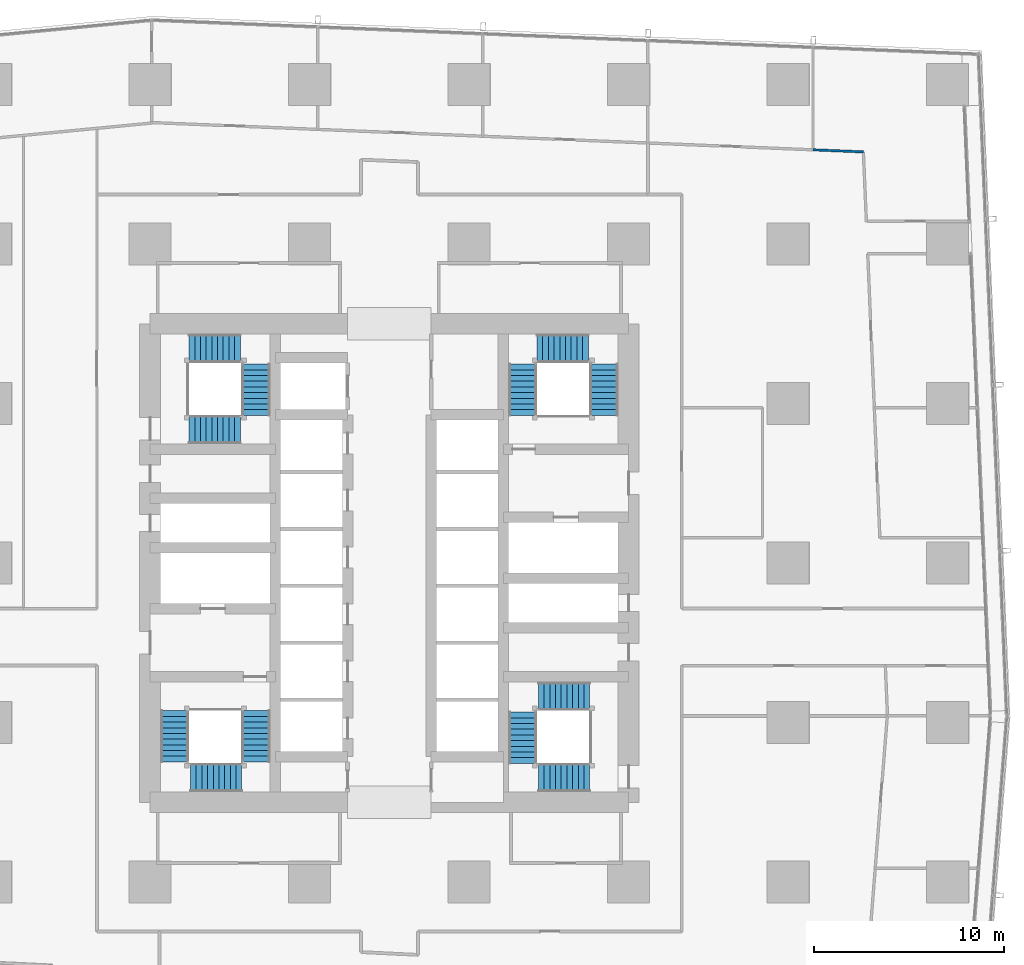
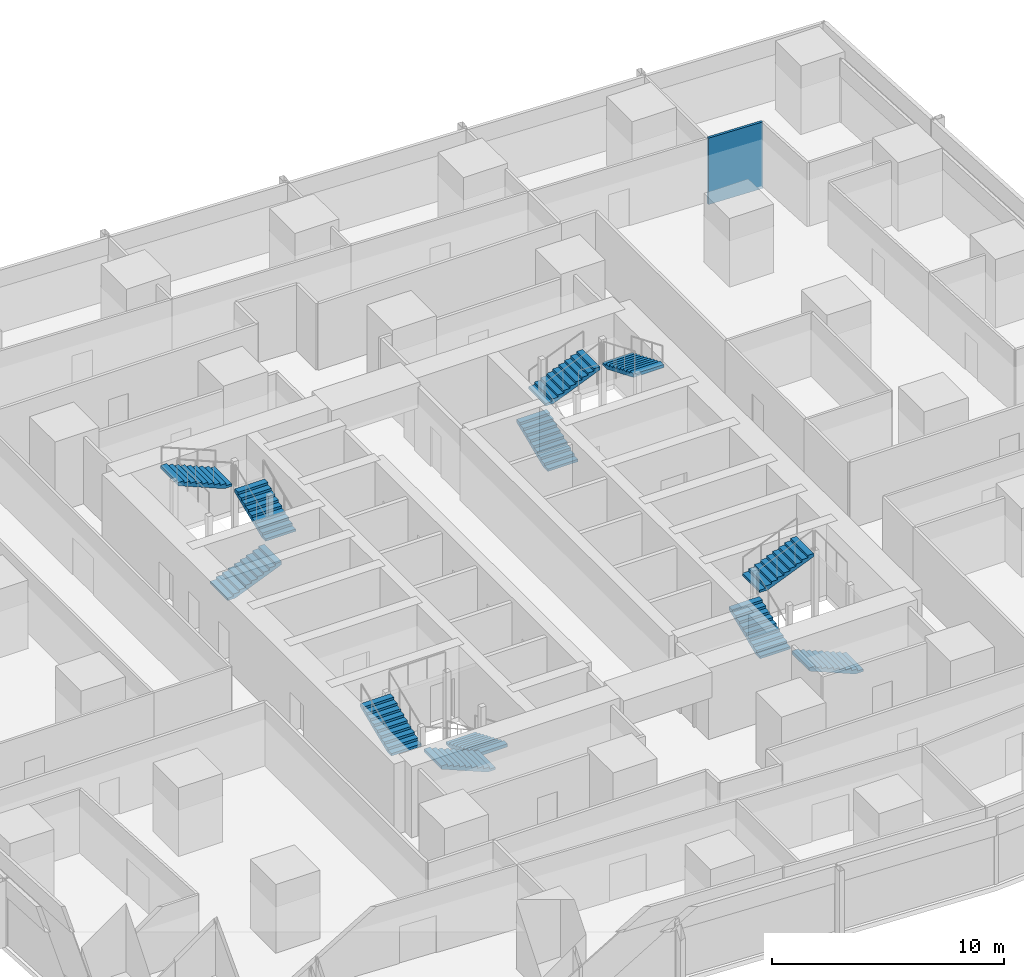
# One storey, part 35 of 44: 12 stair flights, 1 wall, 4 elements without a shape of their own.
"""IFC4 building model written with IfcOpenShell, lengths in metres."""

from ifc_helpers import new_model, si_unit, direction, frame, frame_2d, origin, place, context, subcontext, project, spatial, polyline, rectangle, outline, extrude, material, layer, layer_set, type_object, element, aggregate, save


model = new_model("IFC4")

# Units and contexts
model_context = context("Model", 3, precision=1e-05, world=origin(), true_north=direction((0.0, 1.0)))
body_context = subcontext(model_context, "Body", "Model", "MODEL_VIEW")
ifc_project = project(units=[si_unit("LENGTHUNIT", "METRE"), si_unit("AREAUNIT", "SQUARE_METRE"), si_unit("VOLUMEUNIT", "CUBIC_METRE"), si_unit("PLANEANGLEUNIT", "RADIAN"), si_unit("MASSUNIT", "GRAM", prefix="KILO")], contexts=[model_context])

# Site, building, storey
site_placement = place(None, origin())
site = spatial("IfcSite", under=ifc_project, at=site_placement, CompositionType="ELEMENT")
building_placement = place(site_placement, origin())
building = spatial("IfcBuilding", under=site, at=building_placement, Name="Rekha Terrace Tower", CompositionType="ELEMENT")
storey_placement = place(building_placement, frame((0.0, 0.0, 66.64990234375)))
storey = spatial("IfcBuildingStorey", under=building, at=storey_placement, Name="L16", CompositionType="ELEMENT", Elevation=66.64990234375)

# Wall
ifc_material_1 = material(Name="Two layers of fire-rated gypsum board each side on steel studs, acoustic quilt, 1 hour", Category="steel")
ifc_layer = layer(ifc_material_1, 0.125)
ifc_layer_set = layer_set([ifc_layer], Name="Two layers of fire-rated gypsum board each side on steel studs, acoustic quilt, 1 hour")
wall_type = type_object("IfcWallType", Name="WP3 125 office partition", PredefinedType="PARTITIONING", material=ifc_layer_set)
wall_placement = place(storey_placement, frame((62.762939453125, 55.251953125, 0.0), z_axis=(0.0, 0.0, 1.0), x_axis=(-0.999153681613, 0.041132961474, 0.0)))
element("IfcWall", 1, at=wall_placement, inside=storey, type_object=wall_type, Name="Partition L16-09", PredefinedType="PARTITIONING", context=body_context, shape_type="SweptSolid", body=[
    extrude(rectangle(XDim=2.653076171875, YDim=0.125, at=frame_2d((1.32666015625, 0.0))), origin(), (0.0, 0.0, 1.0), 3.5),
])

# Stair, stair flights
ifc_material_2 = material(Name="Concrete M40", Category="concrete")
stair_type = type_object("IfcStairType", Name="ST30 stair, 30 risers of 125, going 300, 1500 wide flights, 3 flights", PredefinedType="HALF_TURN_STAIR", material=ifc_material_2)
stair_1_placement = place(storey_placement, origin())
stair_1 = element("IfcStair", 2, at=stair_1_placement, inside=storey, type_object=stair_type, Name="Stair ST1 L16 to L17", PredefinedType="HALF_TURN_STAIR")
stair_flight_type = type_object("IfcStairFlightType", Name="SF10 stair flight, 10 risers of 125, going 300, 1500 wide", PredefinedType="STRAIGHT", material=ifc_material_2)
stair_flight_1_placement = place(storey_placement, frame((30.77490234375, 25.824951171875, 0.0), z_axis=(0.0, 0.0, 1.0), x_axis=(0.0, -1.0, 0.0)))
stair_flight_1 = element("IfcStairFlight", 3, at=stair_flight_1_placement, type_object=stair_flight_type, Name="ST1 flight 1", NumberOfRisers=10, NumberOfTreads=9, PredefinedType="STRAIGHT", RiserHeight=0.125, TreadLength=0.3, context=body_context, shape_type="SweptSolid", body=[
    extrude(outline(polyline([(0.0, 0.0), (0.0, 0.125), (0.300048828125, 0.125), (0.300048828125, 0.25), (0.60009765625, 0.25), (0.60009765625, 0.375), (0.89990234375, 0.375), (0.89990234375, 0.5), (1.199951171875, 0.5), (1.199951171875, 0.625), (1.5, 0.625), (1.5, 0.75), (1.800048828125, 0.75), (1.800048828125, 0.875), (2.10009765625, 0.875), (2.10009765625, 1.0), (2.39990234375, 1.0), (2.39990234375, 1.125), (2.699951171875, 1.125), (2.699951171875, 1.25), (2.699951171875, 0.962646484375), (0.3896484375, 0.0), (0.0, 0.0)])), frame((0.0, 0.75, 0.0), z_axis=(0.0, -1.0, 0.0), x_axis=(1.0, 0.0, 0.0)), (0.0, 0.0, 1.0), 1.5),
])
stair_flight_2_placement = place(storey_placement, frame((30.02490234375, 22.300048828125, 1.25), z_axis=(0.0, 0.0, 1.0), x_axis=(-1.0, 0.0, 0.0)))
stair_flight_2 = element("IfcStairFlight", 4, at=stair_flight_2_placement, type_object=stair_flight_type, Name="ST1 flight 2", NumberOfRisers=10, NumberOfTreads=9, PredefinedType="STRAIGHT", RiserHeight=0.125, TreadLength=0.3, context=body_context, shape_type="SweptSolid", body=[
    extrude(outline(polyline([(0.0, 0.0), (0.0, 0.125), (0.300048828125, 0.125), (0.300048828125, 0.25), (0.60009765625, 0.25), (0.60009765625, 0.375), (0.89990234375, 0.375), (0.89990234375, 0.5), (1.199951171875, 0.5), (1.199951171875, 0.625), (1.5, 0.625), (1.5, 0.75), (1.800048828125, 0.75), (1.800048828125, 0.875), (2.10009765625, 0.875), (2.10009765625, 1.0), (2.39990234375, 1.0), (2.39990234375, 1.125), (2.699951171875, 1.125), (2.699951171875, 1.25), (2.699951171875, 0.962646484375), (0.3896484375, 0.0), (0.0, 0.0)])), frame((0.0, 0.75, 0.0), z_axis=(0.0, -1.0, 0.0), x_axis=(1.0, 0.0, 0.0)), (0.0, 0.0, 1.0), 1.5),
])
stair_flight_3_placement = place(storey_placement, frame((26.5, 23.125, 2.5), z_axis=(0.0, 0.0, 1.0), x_axis=(0.0, 1.0, 0.0)))
stair_flight_3 = element("IfcStairFlight", 5, at=stair_flight_3_placement, type_object=stair_flight_type, Name="ST1 flight 3", NumberOfRisers=10, NumberOfTreads=9, PredefinedType="STRAIGHT", RiserHeight=0.125, TreadLength=0.3, context=body_context, shape_type="SweptSolid", body=[
    extrude(outline(polyline([(0.0, 0.0), (0.0, 0.125), (0.300048828125, 0.125), (0.300048828125, 0.25), (0.60009765625, 0.25), (0.60009765625, 0.375), (0.89990234375, 0.375), (0.89990234375, 0.5), (1.199951171875, 0.5), (1.199951171875, 0.625), (1.5, 0.625), (1.5, 0.75), (1.800048828125, 0.75), (1.800048828125, 0.875), (2.10009765625, 0.875), (2.10009765625, 1.0), (2.39990234375, 1.0), (2.39990234375, 1.125), (2.699951171875, 1.125), (2.699951171875, 1.25), (2.699951171875, 0.962646484375), (0.3896484375, 0.0), (0.0, 0.0)])), frame((0.0, 0.75, 0.0), z_axis=(0.0, -1.0, 0.0), x_axis=(1.0, 0.0, 0.0)), (0.0, 0.0, 1.0), 1.5),
])
aggregate(stair_1, [stair_flight_1, stair_flight_2, stair_flight_3])

stair_2_placement = place(storey_placement, origin())
stair_2 = element("IfcStair", 6, at=stair_2_placement, inside=storey, type_object=stair_type, Name="Stair ST2 L16 to L17", PredefinedType="HALF_TURN_STAIR")
stair_flight_4_placement = place(storey_placement, frame((44.824951171875, 41.375, 0.0), z_axis=(0.0, 0.0, 1.0), x_axis=(0.0, 1.0, 0.0)))
stair_flight_4 = element("IfcStairFlight", 7, at=stair_flight_4_placement, type_object=stair_flight_type, Name="ST2 flight 1", NumberOfRisers=10, NumberOfTreads=9, PredefinedType="STRAIGHT", RiserHeight=0.125, TreadLength=0.3, context=body_context, shape_type="SweptSolid", body=[
    extrude(outline(polyline([(0.0, 0.0), (0.0, 0.125), (0.300048828125, 0.125), (0.300048828125, 0.25), (0.60009765625, 0.25), (0.60009765625, 0.375), (0.89990234375, 0.375), (0.89990234375, 0.5), (1.199951171875, 0.5), (1.199951171875, 0.625), (1.5, 0.625), (1.5, 0.75), (1.800048828125, 0.75), (1.800048828125, 0.875), (2.10009765625, 0.875), (2.10009765625, 1.0), (2.39990234375, 1.0), (2.39990234375, 1.125), (2.699951171875, 1.125), (2.699951171875, 1.25), (2.699951171875, 0.962646484375), (0.3896484375, 0.0), (0.0, 0.0)])), frame((0.0, 0.75, 0.0), z_axis=(0.0, -1.0, 0.0), x_axis=(1.0, 0.0, 0.0)), (0.0, 0.0, 1.0), 1.5),
])
stair_flight_5_placement = place(storey_placement, frame((45.574951171875, 44.89990234375, 1.25), z_axis=(0.0, 0.0, 1.0), x_axis=(1.0, 0.0, 0.0)))
stair_flight_5 = element("IfcStairFlight", 8, at=stair_flight_5_placement, type_object=stair_flight_type, Name="ST2 flight 2", NumberOfRisers=10, NumberOfTreads=9, PredefinedType="STRAIGHT", RiserHeight=0.125, TreadLength=0.3, context=body_context, shape_type="SweptSolid", body=[
    extrude(outline(polyline([(0.0, 0.0), (0.0, 0.125), (0.300048828125, 0.125), (0.300048828125, 0.25), (0.60009765625, 0.25), (0.60009765625, 0.375), (0.89990234375, 0.375), (0.89990234375, 0.5), (1.199951171875, 0.5), (1.199951171875, 0.625), (1.5, 0.625), (1.5, 0.75), (1.800048828125, 0.75), (1.800048828125, 0.875), (2.10009765625, 0.875), (2.10009765625, 1.0), (2.39990234375, 1.0), (2.39990234375, 1.125), (2.699951171875, 1.125), (2.699951171875, 1.25), (2.699951171875, 0.962646484375), (0.3896484375, 0.0), (0.0, 0.0)])), frame((0.0, 0.75, 0.0), z_axis=(0.0, -1.0, 0.0), x_axis=(1.0, 0.0, 0.0)), (0.0, 0.0, 1.0), 1.5),
])
stair_flight_6_placement = place(storey_placement, frame((49.10009765625, 44.074951171875, 2.5), z_axis=(0.0, 0.0, 1.0), x_axis=(0.0, -1.0, 0.0)))
stair_flight_6 = element("IfcStairFlight", 9, at=stair_flight_6_placement, type_object=stair_flight_type, Name="ST2 flight 3", NumberOfRisers=10, NumberOfTreads=9, PredefinedType="STRAIGHT", RiserHeight=0.125, TreadLength=0.3, context=body_context, shape_type="SweptSolid", body=[
    extrude(outline(polyline([(0.0, 0.0), (0.0, 0.125), (0.300048828125, 0.125), (0.300048828125, 0.25), (0.60009765625, 0.25), (0.60009765625, 0.375), (0.89990234375, 0.375), (0.89990234375, 0.5), (1.199951171875, 0.5), (1.199951171875, 0.625), (1.5, 0.625), (1.5, 0.75), (1.800048828125, 0.75), (1.800048828125, 0.875), (2.10009765625, 0.875), (2.10009765625, 1.0), (2.39990234375, 1.0), (2.39990234375, 1.125), (2.699951171875, 1.125), (2.699951171875, 1.25), (2.699951171875, 0.962646484375), (0.3896484375, 0.0), (0.0, 0.0)])), frame((0.0, 0.75, 0.0), z_axis=(0.0, -1.0, 0.0), x_axis=(1.0, 0.0, 0.0)), (0.0, 0.0, 1.0), 1.5),
])
aggregate(stair_2, [stair_flight_4, stair_flight_5, stair_flight_6])

stair_3_placement = place(storey_placement, origin())
stair_3 = element("IfcStair", 10, at=stair_3_placement, inside=storey, type_object=stair_type, Name="Stair ST3 L16 to L17", PredefinedType="HALF_TURN_STAIR")
stair_flight_7_placement = place(storey_placement, frame((48.35009765625, 22.300048828125, 0.0), z_axis=(0.0, 0.0, 1.0), x_axis=(-1.0, 0.0, 0.0)))
stair_flight_7 = element("IfcStairFlight", 11, at=stair_flight_7_placement, type_object=stair_flight_type, Name="ST3 flight 1", NumberOfRisers=10, NumberOfTreads=9, PredefinedType="STRAIGHT", RiserHeight=0.125, TreadLength=0.3, context=body_context, shape_type="SweptSolid", body=[
    extrude(outline(polyline([(0.0, 0.0), (0.0, 0.125), (0.300048828125, 0.125), (0.300048828125, 0.25), (0.60009765625, 0.25), (0.60009765625, 0.375), (0.89990234375, 0.375), (0.89990234375, 0.5), (1.199951171875, 0.5), (1.199951171875, 0.625), (1.5, 0.625), (1.5, 0.75), (1.800048828125, 0.75), (1.800048828125, 0.875), (2.10009765625, 0.875), (2.10009765625, 1.0), (2.39990234375, 1.0), (2.39990234375, 1.125), (2.699951171875, 1.125), (2.699951171875, 1.25), (2.699951171875, 0.962646484375), (0.3896484375, 0.0), (0.0, 0.0)])), frame((0.0, 0.75, 0.0), z_axis=(0.0, -1.0, 0.0), x_axis=(1.0, 0.0, 0.0)), (0.0, 0.0, 1.0), 1.5),
])
stair_flight_8_placement = place(storey_placement, frame((44.824951171875, 23.050048828125, 1.25), z_axis=(0.0, 0.0, 1.0), x_axis=(0.0, 1.0, 0.0)))
stair_flight_8 = element("IfcStairFlight", 12, at=stair_flight_8_placement, type_object=stair_flight_type, Name="ST3 flight 2", NumberOfRisers=10, NumberOfTreads=9, PredefinedType="STRAIGHT", RiserHeight=0.125, TreadLength=0.3, context=body_context, shape_type="SweptSolid", body=[
    extrude(outline(polyline([(0.0, 0.0), (0.0, 0.125), (0.300048828125, 0.125), (0.300048828125, 0.25), (0.60009765625, 0.25), (0.60009765625, 0.375), (0.89990234375, 0.375), (0.89990234375, 0.5), (1.199951171875, 0.5), (1.199951171875, 0.625), (1.5, 0.625), (1.5, 0.75), (1.800048828125, 0.75), (1.800048828125, 0.875), (2.10009765625, 0.875), (2.10009765625, 1.0), (2.39990234375, 1.0), (2.39990234375, 1.125), (2.699951171875, 1.125), (2.699951171875, 1.25), (2.699951171875, 0.962646484375), (0.3896484375, 0.0), (0.0, 0.0)])), frame((0.0, 0.75, 0.0), z_axis=(0.0, -1.0, 0.0), x_axis=(1.0, 0.0, 0.0)), (0.0, 0.0, 1.0), 1.5),
])
stair_flight_9_placement = place(storey_placement, frame((45.64990234375, 26.574951171875, 2.5), z_axis=(0.0, 0.0, 1.0), x_axis=(1.0, 0.0, 0.0)))
stair_flight_9 = element("IfcStairFlight", 13, at=stair_flight_9_placement, type_object=stair_flight_type, Name="ST3 flight 3", NumberOfRisers=10, NumberOfTreads=9, PredefinedType="STRAIGHT", RiserHeight=0.125, TreadLength=0.3, context=body_context, shape_type="SweptSolid", body=[
    extrude(outline(polyline([(0.0, 0.0), (0.0, 0.125), (0.300048828125, 0.125), (0.300048828125, 0.25), (0.60009765625, 0.25), (0.60009765625, 0.375), (0.89990234375, 0.375), (0.89990234375, 0.5), (1.199951171875, 0.5), (1.199951171875, 0.625), (1.5, 0.625), (1.5, 0.75), (1.800048828125, 0.75), (1.800048828125, 0.875), (2.10009765625, 0.875), (2.10009765625, 1.0), (2.39990234375, 1.0), (2.39990234375, 1.125), (2.699951171875, 1.125), (2.699951171875, 1.25), (2.699951171875, 0.962646484375), (0.3896484375, 0.0), (0.0, 0.0)])), frame((0.0, 0.75, 0.0), z_axis=(0.0, -1.0, 0.0), x_axis=(1.0, 0.0, 0.0)), (0.0, 0.0, 1.0), 1.5),
])
aggregate(stair_3, [stair_flight_7, stair_flight_8, stair_flight_9])

stair_4_placement = place(storey_placement, origin())
stair_4 = element("IfcStair", 14, at=stair_4_placement, inside=storey, type_object=stair_type, Name="Stair ST4 L16 to L17", PredefinedType="HALF_TURN_STAIR")
stair_flight_10_placement = place(storey_placement, frame((27.25, 40.625, 0.0), z_axis=(0.0, 0.0, 1.0), x_axis=(1.0, 0.0, 0.0)))
stair_flight_10 = element("IfcStairFlight", 15, at=stair_flight_10_placement, type_object=stair_flight_type, Name="ST4 flight 1", NumberOfRisers=10, NumberOfTreads=9, PredefinedType="STRAIGHT", RiserHeight=0.125, TreadLength=0.3, context=body_context, shape_type="SweptSolid", body=[
    extrude(outline(polyline([(0.0, 0.0), (0.0, 0.125), (0.300048828125, 0.125), (0.300048828125, 0.25), (0.60009765625, 0.25), (0.60009765625, 0.375), (0.89990234375, 0.375), (0.89990234375, 0.5), (1.199951171875, 0.5), (1.199951171875, 0.625), (1.5, 0.625), (1.5, 0.75), (1.800048828125, 0.75), (1.800048828125, 0.875), (2.10009765625, 0.875), (2.10009765625, 1.0), (2.39990234375, 1.0), (2.39990234375, 1.125), (2.699951171875, 1.125), (2.699951171875, 1.25), (2.699951171875, 0.962646484375), (0.3896484375, 0.0), (0.0, 0.0)])), frame((0.0, 0.75, 0.0), z_axis=(0.0, -1.0, 0.0), x_axis=(1.0, 0.0, 0.0)), (0.0, 0.0, 1.0), 1.5),
])
stair_flight_11_placement = place(storey_placement, frame((30.77490234375, 41.375, 1.25), z_axis=(0.0, 0.0, 1.0), x_axis=(0.0, 1.0, 0.0)))
stair_flight_11 = element("IfcStairFlight", 16, at=stair_flight_11_placement, type_object=stair_flight_type, Name="ST4 flight 2", NumberOfRisers=10, NumberOfTreads=9, PredefinedType="STRAIGHT", RiserHeight=0.125, TreadLength=0.3, context=body_context, shape_type="SweptSolid", body=[
    extrude(outline(polyline([(0.0, 0.0), (0.0, 0.125), (0.300048828125, 0.125), (0.300048828125, 0.25), (0.60009765625, 0.25), (0.60009765625, 0.375), (0.89990234375, 0.375), (0.89990234375, 0.5), (1.199951171875, 0.5), (1.199951171875, 0.625), (1.5, 0.625), (1.5, 0.75), (1.800048828125, 0.75), (1.800048828125, 0.875), (2.10009765625, 0.875), (2.10009765625, 1.0), (2.39990234375, 1.0), (2.39990234375, 1.125), (2.699951171875, 1.125), (2.699951171875, 1.25), (2.699951171875, 0.962646484375), (0.3896484375, 0.0), (0.0, 0.0)])), frame((0.0, 0.75, 0.0), z_axis=(0.0, -1.0, 0.0), x_axis=(1.0, 0.0, 0.0)), (0.0, 0.0, 1.0), 1.5),
])
stair_flight_12_placement = place(storey_placement, frame((29.949951171875, 44.89990234375, 2.5), z_axis=(0.0, 0.0, 1.0), x_axis=(-1.0, 0.0, 0.0)))
stair_flight_12 = element("IfcStairFlight", 17, at=stair_flight_12_placement, type_object=stair_flight_type, Name="ST4 flight 3", NumberOfRisers=10, NumberOfTreads=9, PredefinedType="STRAIGHT", RiserHeight=0.125, TreadLength=0.3, context=body_context, shape_type="SweptSolid", body=[
    extrude(outline(polyline([(0.0, 0.0), (0.0, 0.125), (0.300048828125, 0.125), (0.300048828125, 0.25), (0.60009765625, 0.25), (0.60009765625, 0.375), (0.89990234375, 0.375), (0.89990234375, 0.5), (1.199951171875, 0.5), (1.199951171875, 0.625), (1.5, 0.625), (1.5, 0.75), (1.800048828125, 0.75), (1.800048828125, 0.875), (2.10009765625, 0.875), (2.10009765625, 1.0), (2.39990234375, 1.0), (2.39990234375, 1.125), (2.699951171875, 1.125), (2.699951171875, 1.25), (2.699951171875, 0.962646484375), (0.3896484375, 0.0), (0.0, 0.0)])), frame((0.0, 0.75, 0.0), z_axis=(0.0, -1.0, 0.0), x_axis=(1.0, 0.0, 0.0)), (0.0, 0.0, 1.0), 1.5),
])
aggregate(stair_4, [stair_flight_10, stair_flight_11, stair_flight_12])

save(model, "model.ifc")
